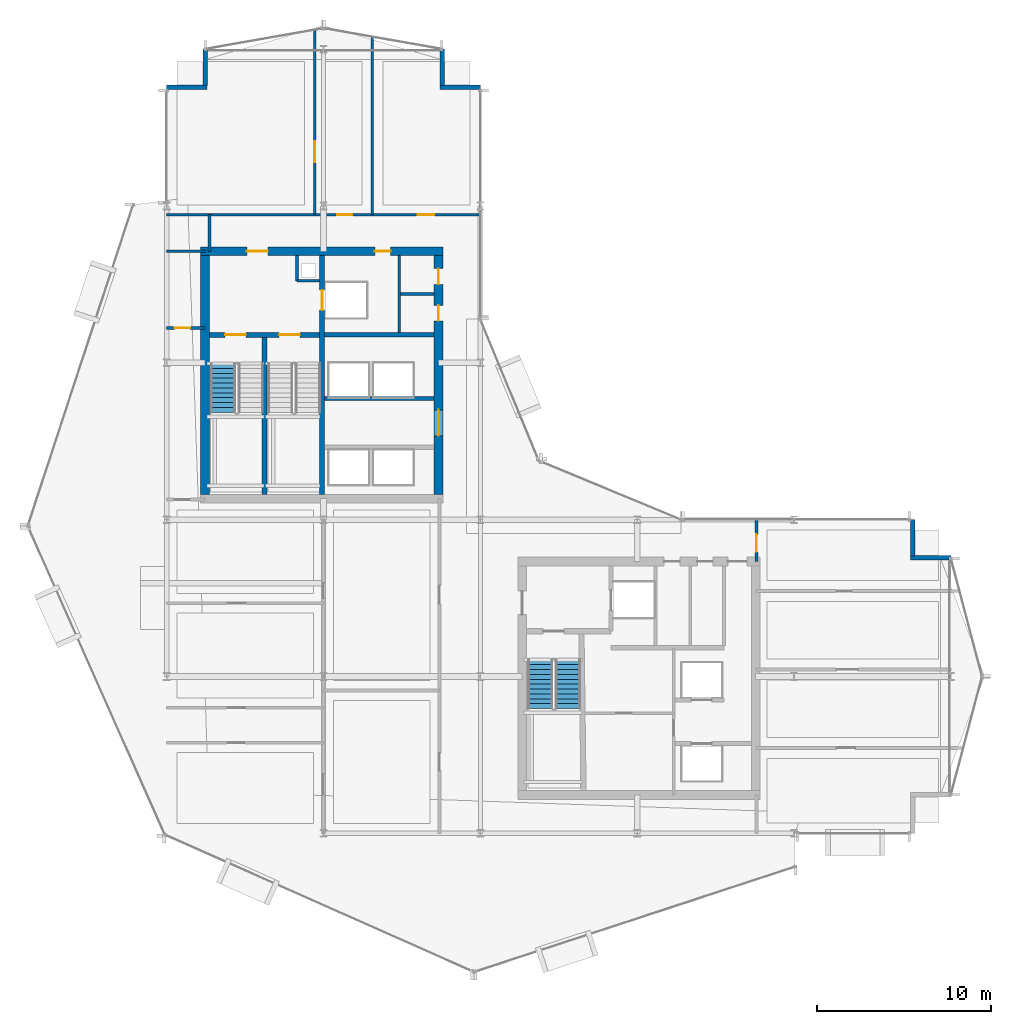
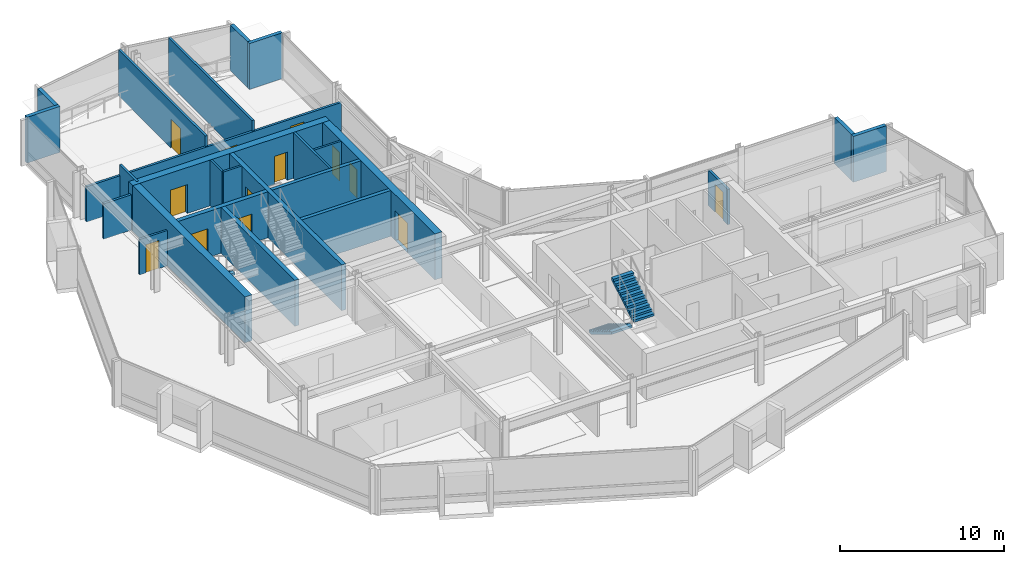
# One storey, part 23 of 29: 25 walls, 13 doors, 3 stair flights, 13 openings, 2 elements without a shape of their own.
"""IFC4 building model written with IfcOpenShell, lengths in metres."""

from ifc_helpers import new_model, si_unit, direction, frame, frame_2d, origin, place, context, subcontext, project, spatial, polyline, rectangle, outline, extrude, material, layer, layer_set, type_object, element, fill, aggregate, save


model = new_model("IFC4")

# Units and contexts
model_context = context("Model", 3, precision=1e-05, world=origin(), true_north=direction((0.0, 1.0)))
body_context = subcontext(model_context, "Body", "Model", "MODEL_VIEW")
ifc_project = project(units=[si_unit("LENGTHUNIT", "METRE"), si_unit("AREAUNIT", "SQUARE_METRE"), si_unit("VOLUMEUNIT", "CUBIC_METRE"), si_unit("PLANEANGLEUNIT", "RADIAN"), si_unit("MASSUNIT", "GRAM", prefix="KILO")], contexts=[model_context])

# Site, building, storey
site_placement = place(None, origin())
site = spatial("IfcSite", under=ifc_project, at=site_placement, CompositionType="ELEMENT")
building_placement = place(site_placement, origin())
building = spatial("IfcBuilding", under=site, at=building_placement, Name="Solvaryn Broadcast Tower", CompositionType="ELEMENT")
storey_placement = place(building_placement, frame((0.0, 0.0, 143.300048828125)))
storey = spatial("IfcBuildingStorey", under=building, at=storey_placement, Name="L35", CompositionType="ELEMENT", Elevation=143.300048828125)

# Wall, openings, doors
ifc_material_1 = material(Name="Concrete f'c 70 MPa", Category="concrete")
ifc_layer_1 = layer(ifc_material_1, 0.5)
ifc_layer_set_1 = layer_set([ifc_layer_1], Name="CW-SHEAR-500")
wall_type_1 = type_object("IfcWallType", Name="CW-SHEAR-500", PredefinedType="SHEAR", material=ifc_layer_set_1)
wall_1_placement = place(storey_placement, frame((24.85009765625, 42.39990234375, 0.0), z_axis=(0.0, 0.0, 1.0), x_axis=(-1.0, 0.0, 0.0)))
wall_1 = element("IfcWall", 1, at=wall_1_placement, inside=storey, type_object=wall_type_1, Name="L35 West Core North Shear Wall", PredefinedType="SHEAR", context=body_context, shape_type="SweptSolid", body=[
    extrude(rectangle(XDim=13.900146484375, YDim=0.5, at=frame_2d((6.9501953125, 0.0))), origin(), (0.0, 0.0, 1.0), 3.419921875),
])
opening_1_placement = place(wall_1_placement, frame((10.050048828125, 0.0, 0.0)))
opening_1 = element("IfcOpeningElement", 2, at=opening_1_placement, cuts=wall_1, Name="Opening FD90A", PredefinedType="OPENING", context=body_context, shape_type="SweptSolid", body=[
    extrude(rectangle(XDim=1.199951171875, YDim=2.14990234375, at=frame_2d((0.60009765625, 1.074951171875))), frame((0.0, 0.260009765625, 0.0), z_axis=(0.0, -1.0, 0.0), x_axis=(1.0, 0.0, 0.0)), (0.0, 0.0, 1.0), 0.52001953125),
])
opening_2_placement = place(wall_1_placement, frame((3.0, 0.0, 0.0)))
opening_2 = element("IfcOpeningElement", 3, at=opening_2_placement, cuts=wall_1, Name="Opening FD60C", PredefinedType="OPENING", context=body_context, shape_type="SweptSolid", body=[
    extrude(rectangle(XDim=0.89990234375, YDim=2.10009765625, at=frame_2d((0.449951171875, 1.050048828125))), frame((0.0, 0.260009765625, 0.0), z_axis=(0.0, -1.0, 0.0), x_axis=(1.0, 0.0, 0.0)), (0.0, 0.0, 1.0), 0.52001953125),
])
ifc_material_2 = material(Name="Flush Acoustic Steel and Timber Door Assembly", Category="steel")
door_type_1 = type_object("IfcDoorType", Name="FD60-SERV-900X2100", OperationType="NOTDEFINED", PredefinedType="DOOR", material=ifc_material_2)
door_1_placement = place(opening_2_placement, origin())
door_1 = element("IfcDoor", 4, at=door_1_placement, inside=storey, type_object=door_type_1, Name="L35 West Core Fiber Riser Door", OperationType="SINGLE_SWING_RIGHT", OverallHeight=2.10009765625, OverallWidth=0.89990234375, PredefinedType="DOOR", context=body_context, shape_type="SweptSolid", body=[
    extrude(rectangle(XDim=0.89990234375, YDim=2.10009765625, at=frame_2d((0.449951171875, 1.050048828125))), frame((0.0, 0.02490234375, 0.0), z_axis=(0.0, -1.0, 0.0), x_axis=(1.0, 0.0, 0.0)), (0.0, 0.0, 1.0), 0.050048828125),
])
fill(opening_2, door_1)
ifc_material_3 = material(Name="Flush Acoustic Steel and Timber Door Assembly", Category="steel")
door_type_2 = type_object("IfcDoorType", Name="FD90-STAIR-1200X2150", OperationType="NOTDEFINED", PredefinedType="DOOR", material=ifc_material_3)
door_2_placement = place(opening_1_placement, origin())
door_2 = element("IfcDoor", 5, at=door_2_placement, inside=storey, type_object=door_type_2, Name="L35 West FSAE Lobby Corridor Door", OperationType="SINGLE_SWING_LEFT", OverallHeight=2.14990234375, OverallWidth=1.199951171875, PredefinedType="DOOR", context=body_context, shape_type="SweptSolid", body=[
    extrude(rectangle(XDim=1.199951171875, YDim=2.14990234375, at=frame_2d((0.60009765625, 1.074951171875))), frame((0.0, 0.02490234375, 0.0), z_axis=(0.0, -1.0, 0.0), x_axis=(1.0, 0.0, 0.0)), (0.0, 0.0, 1.0), 0.050048828125),
])
fill(opening_1, door_2)

# Wall
wall_2_placement = place(storey_placement, frame((11.199951171875, 42.14990234375, 0.0), z_axis=(0.0, 0.0, 1.0), x_axis=(0.0, -1.0, 0.0)))
element("IfcWall", 6, at=wall_2_placement, inside=storey, type_object=wall_type_1, Name="L35 West Core West Shear Wall", PredefinedType="SHEAR", context=body_context, shape_type="SweptSolid", body=[
    extrude(rectangle(XDim=13.699951171875, YDim=0.5, at=frame_2d((6.85009765625, 0.0))), origin(), (0.0, 0.0, 1.0), 3.419921875),
])

# Wall, openings, doors
wall_3_placement = place(storey_placement, frame((24.60009765625, 28.449951171875, 0.0), z_axis=(0.0, 0.0, 1.0), x_axis=(0.0, 1.0, 0.0)))
wall_3 = element("IfcWall", 7, at=wall_3_placement, inside=storey, type_object=wall_type_1, Name="L35 West Core East Shear Wall", PredefinedType="SHEAR", context=body_context, shape_type="SweptSolid", body=[
    extrude(rectangle(XDim=13.699951171875, YDim=0.5, at=frame_2d((6.85009765625, 0.0))), origin(), (0.0, 0.0, 1.0), 3.419921875),
])
opening_3_placement = place(wall_3_placement, frame((3.35009765625, 0.0, 0.0)))
opening_3 = element("IfcOpeningElement", 8, at=opening_3_placement, cuts=wall_3, Name="Opening FD60A", PredefinedType="OPENING", context=body_context, shape_type="SweptSolid", body=[
    extrude(rectangle(XDim=1.5, YDim=2.199951171875, at=frame_2d((0.75, 1.10009765625))), frame((0.0, 0.260009765625, 0.0), z_axis=(0.0, -1.0, 0.0), x_axis=(1.0, 0.0, 0.0)), (0.0, 0.0, 1.0), 0.52001953125),
])
opening_4_placement = place(wall_3_placement, frame((9.949951171875, 0.0, 0.0)))
opening_4 = element("IfcOpeningElement", 9, at=opening_4_placement, cuts=wall_3, Name="Opening FD60C", PredefinedType="OPENING", context=body_context, shape_type="SweptSolid", body=[
    extrude(rectangle(XDim=0.89990234375, YDim=2.10009765625, at=frame_2d((0.449951171875, 1.050048828125))), frame((0.0, 0.260009765625, 0.0), z_axis=(0.0, -1.0, 0.0), x_axis=(1.0, 0.0, 0.0)), (0.0, 0.0, 1.0), 0.52001953125),
])
opening_5_placement = place(wall_3_placement, frame((12.050048828125, 0.0, 0.0)))
opening_5 = element("IfcOpeningElement", 10, at=opening_5_placement, cuts=wall_3, Name="Opening FD60C", PredefinedType="OPENING", context=body_context, shape_type="SweptSolid", body=[
    extrude(rectangle(XDim=0.89990234375, YDim=2.10009765625, at=frame_2d((0.449951171875, 1.050048828125))), frame((0.0, 0.260009765625, 0.0), z_axis=(0.0, -1.0, 0.0), x_axis=(1.0, 0.0, 0.0)), (0.0, 0.0, 1.0), 0.52001953125),
])
ifc_material_4 = material(Name="Flush Acoustic Steel and Timber Door Assembly", Category="steel")
door_type_3 = type_object("IfcDoorType", Name="FD60-CORR-1500X2200", OperationType="NOTDEFINED", PredefinedType="DOOR", material=ifc_material_4)
door_3_placement = place(opening_3_placement, origin())
door_3 = element("IfcDoor", 11, at=door_3_placement, inside=storey, type_object=door_type_3, Name="L35 West Elevator Lobby Corridor Door", OperationType="DOUBLE_DOOR_SINGLE_SWING", OverallHeight=2.199951171875, OverallWidth=1.5, PredefinedType="DOOR", context=body_context, shape_type="SweptSolid", body=[
    extrude(rectangle(XDim=1.5, YDim=2.199951171875, at=frame_2d((0.75, 1.10009765625))), frame((0.0, 0.02490234375, 0.0), z_axis=(0.0, -1.0, 0.0), x_axis=(1.0, 0.0, 0.0)), (0.0, 0.0, 1.0), 0.050048828125),
])
fill(opening_3, door_3)
door_4_placement = place(opening_4_placement, origin())
door_4 = element("IfcDoor", 12, at=door_4_placement, inside=storey, type_object=door_type_1, Name="L35 West Core Service Door 1", OperationType="SINGLE_SWING_LEFT", OverallHeight=2.10009765625, OverallWidth=0.89990234375, PredefinedType="DOOR", context=body_context, shape_type="SweptSolid", body=[
    extrude(rectangle(XDim=0.89990234375, YDim=2.10009765625, at=frame_2d((0.449951171875, 1.050048828125))), frame((0.0, 0.02490234375, 0.0), z_axis=(0.0, -1.0, 0.0), x_axis=(1.0, 0.0, 0.0)), (0.0, 0.0, 1.0), 0.050048828125),
])
fill(opening_4, door_4)
door_5_placement = place(opening_5_placement, origin())
door_5 = element("IfcDoor", 13, at=door_5_placement, inside=storey, type_object=door_type_1, Name="L35 West Core Janitor Door", OperationType="SINGLE_SWING_RIGHT", OverallHeight=2.10009765625, OverallWidth=0.89990234375, PredefinedType="DOOR", context=body_context, shape_type="SweptSolid", body=[
    extrude(rectangle(XDim=0.89990234375, YDim=2.10009765625, at=frame_2d((0.449951171875, 1.050048828125))), frame((0.0, 0.02490234375, 0.0), z_axis=(0.0, -1.0, 0.0), x_axis=(1.0, 0.0, 0.0)), (0.0, 0.0, 1.0), 0.050048828125),
])
fill(opening_5, door_5)

# Walls
ifc_material_5 = material(Name="Concrete f'c 50 MPa", Category="concrete")
ifc_layer_2 = layer(ifc_material_5, 0.260009765625)
ifc_layer_set_2 = layer_set([ifc_layer_2], Name="EW-PIER-260")
wall_type_2 = type_object("IfcWallType", Name="EW-PIER-260", PredefinedType="SOLIDWALL", material=ifc_layer_set_2)
wall_4_placement = place(storey_placement, frame((9.0, 51.800048828125, 0.0), z_axis=(0.0, 0.0, 1.0), x_axis=(1.0, 0.0, 0.0)))
element("IfcWall", 14, at=wall_4_placement, inside=storey, type_object=wall_type_2, Name="L35 Notched Corner Pier Wall NNW1", PredefinedType="SOLIDWALL", context=body_context, shape_type="SweptSolid", body=[
    extrude(rectangle(XDim=2.320068359375, YDim=0.260009765625, at=frame_2d((1.16015625, 0.0))), origin(), (0.0, 0.0, 1.0), 3.419921875),
])
for number, where, z_axis, x_axis, name in (
    (15, (11.199951171875, 51.919921875, 0.0), (0.0, 0.0, 1.0), (0.0, 1.0, 0.0), "L35 Notched Corner Pier Wall NNW2"),
    (16, (24.800048828125, 54.0, 0.0), (0.0, 0.0, 1.0), (0.0, -1.0, 0.0), "L35 Notched Corner Pier Wall NNE1"),
):
    element("IfcWall", number, at=place(storey_placement, frame(where, z_axis=z_axis, x_axis=x_axis)), inside=storey, type_object=wall_type_2, Name=name, PredefinedType="SOLIDWALL", context=body_context, shape_type="SweptSolid", body=[
        extrude(rectangle(XDim=2.080078125, YDim=0.260009765625, at=frame_2d((1.0400390625, 0.0))), origin(), (0.0, 0.0, 1.0), 3.419921875),
    ])
for number, where, z_axis, x_axis, name in (
    (17, (24.679931640625, 51.800048828125, 0.0), (0.0, 0.0, 1.0), (1.0, 0.0, 0.0), "L35 Notched Corner Pier Wall NNE2"),
    (18, (54.0, 24.800048828125, 0.0), (0.0, 0.0, 1.0), (-1.0, 0.0, 0.0), "L35 Notched Corner Pier Wall NEE1"),
):
    element("IfcWall", number, at=place(storey_placement, frame(where, z_axis=z_axis, x_axis=x_axis)), inside=storey, type_object=wall_type_2, Name=name, PredefinedType="SOLIDWALL", context=body_context, shape_type="SweptSolid", body=[
        extrude(rectangle(XDim=2.320068359375, YDim=0.260009765625, at=frame_2d((1.16015625, 0.0))), origin(), (0.0, 0.0, 1.0), 3.419921875),
    ])
wall_5_placement = place(storey_placement, frame((51.800048828125, 24.919921875, 0.0), z_axis=(0.0, 0.0, 1.0), x_axis=(0.0, 1.0, 0.0)))
element("IfcWall", 19, at=wall_5_placement, inside=storey, type_object=wall_type_2, Name="L35 Notched Corner Pier Wall NEE2", PredefinedType="SOLIDWALL", context=body_context, shape_type="SweptSolid", body=[
    extrude(rectangle(XDim=2.080078125, YDim=0.260009765625, at=frame_2d((1.0400390625, 0.0))), origin(), (0.0, 0.0, 1.0), 3.419921875),
])
ifc_material_6 = material(Name="Metal-Stud Service Core Partition")
ifc_layer_3 = layer(ifc_material_6, 0.14990234375)
ifc_layer_set_3 = layer_set([ifc_layer_3], Name="IW-PART-150")
wall_type_3 = type_object("IfcWallType", Name="IW-PART-150", PredefinedType="PARTITIONING", material=ifc_layer_set_3)
wall_6_placement = place(storey_placement, frame((16.47998046875, 40.699951171875, 0.0), z_axis=(0.0, 0.0, 1.0), x_axis=(1.0, 0.0, 0.0)))
element("IfcWall", 20, at=wall_6_placement, inside=storey, type_object=wall_type_3, Name="L35 West Core Riser Shaft South Wall", PredefinedType="PARTITIONING", context=body_context, shape_type="SweptSolid", body=[
    extrude(rectangle(XDim=1.2900390625, YDim=0.14990234375, at=frame_2d((0.64501953125, 0.0))), origin(), (0.0, 0.0, 1.0), 3.419921875),
])
wall_7_placement = place(storey_placement, frame((16.47998046875, 40.699951171875, 0.0), z_axis=(0.0, 0.0, 1.0), x_axis=(0.0, 1.0, 0.0)))
element("IfcWall", 21, at=wall_7_placement, inside=storey, type_object=wall_type_3, Name="L35 West Core Riser Shaft West Wall", PredefinedType="PARTITIONING", context=body_context, shape_type="SweptSolid", body=[
    extrude(rectangle(XDim=1.449951171875, YDim=0.14990234375, at=frame_2d((0.72509765625, 0.0))), origin(), (0.0, 0.0, 1.0), 3.419921875),
])
wall_8_placement = place(storey_placement, frame((22.35009765625, 37.72998046875, 0.0), z_axis=(0.0, 0.0, 1.0), x_axis=(0.0, 1.0, 0.0)))
element("IfcWall", 22, at=wall_8_placement, inside=storey, type_object=wall_type_3, Name="L35 Interior Partition IW-L35-CWS-V", PredefinedType="PARTITIONING", context=body_context, shape_type="SweptSolid", body=[
    extrude(rectangle(XDim=4.419921875, YDim=0.14990234375, at=frame_2d((2.2099609375, 0.0))), origin(), (0.0, 0.0, 1.0), 3.419921875),
])
wall_9_placement = place(storey_placement, frame((22.429931640625, 39.949951171875, 0.0), z_axis=(0.0, 0.0, 1.0), x_axis=(1.0, 0.0, 0.0)))
element("IfcWall", 23, at=wall_9_placement, inside=storey, type_object=wall_type_3, Name="L35 Interior Partition IW-L35-CWS-H", PredefinedType="PARTITIONING", context=body_context, shape_type="SweptSolid", body=[
    extrude(rectangle(XDim=1.920166015625, YDim=0.14990234375, at=frame_2d((0.9599609375, 0.0))), origin(), (0.0, 0.0, 1.0), 3.419921875),
])

# Wall, opening, door
wall_10_placement = place(storey_placement, frame((9.0, 38.0, 0.0), z_axis=(0.0, 0.0, 1.0), x_axis=(1.0, 0.0, 0.0)))
wall_10 = element("IfcWall", 24, at=wall_10_placement, inside=storey, type_object=wall_type_3, Name="L35 Interior Partition IW-L35-WM-M", PredefinedType="PARTITIONING", context=body_context, shape_type="SweptSolid", body=[
    extrude(rectangle(XDim=2.199951171875, YDim=0.14990234375, at=frame_2d((1.10009765625, 0.0))), origin(), (0.0, 0.0, 1.0), 2.634033203125),
])
opening_6_placement = place(wall_10_placement, frame((0.449951171875, 0.0, 0.0)))
opening_6 = element("IfcOpeningElement", 25, at=opening_6_placement, cuts=wall_10, Name="Opening FD60C", PredefinedType="OPENING", context=body_context, shape_type="SweptSolid", body=[
    extrude(rectangle(XDim=0.89990234375, YDim=2.10009765625, at=frame_2d((0.449951171875, 1.050048828125))), frame((0.0, 0.0849609375, 0.0), z_axis=(0.0, -1.0, 0.0), x_axis=(1.0, 0.0, 0.0)), (0.0, 0.0, 1.0), 0.169921875),
])
door_6_placement = place(opening_6_placement, origin())
door_6 = element("IfcDoor", 26, at=door_6_placement, inside=storey, type_object=door_type_1, Name="L35 Door DR-L35-WM1", OperationType="SINGLE_SWING_LEFT", OverallHeight=2.10009765625, OverallWidth=0.89990234375, PredefinedType="DOOR", context=body_context, shape_type="SweptSolid", body=[
    extrude(rectangle(XDim=0.89990234375, YDim=2.10009765625, at=frame_2d((0.449951171875, 1.050048828125))), frame((0.0, 0.02490234375, 0.0), z_axis=(0.0, -1.0, 0.0), x_axis=(1.0, 0.0, 0.0)), (0.0, 0.0, 1.0), 0.050048828125),
])
fill(opening_6, door_6)

# Walls
ifc_material_7 = material(Name="Metal-Stud Gypsum Office Partition")
ifc_layer_4 = layer(ifc_material_7, 0.159912109375)
ifc_layer_set_4 = layer_set([ifc_layer_4], Name="IW-PART-160")
wall_type_4 = type_object("IfcWallType", Name="IW-PART-160", PredefinedType="PARTITIONING", material=ifc_layer_set_4)
wall_11_placement = place(storey_placement, frame((9.0, 42.39990234375, 0.0), z_axis=(0.0, 0.0, 1.0), x_axis=(1.0, 0.0, 0.0)))
element("IfcWall", 27, at=wall_11_placement, inside=storey, type_object=wall_type_4, Name="L35 Interior Partition IW-L35-WM-N", PredefinedType="PARTITIONING", context=body_context, shape_type="SweptSolid", body=[
    extrude(rectangle(XDim=2.199951171875, YDim=0.159912109375, at=frame_2d((1.10009765625, 0.0))), origin(), (0.0, 0.0, 1.0), 2.634033203125),
])
wall_12_placement = place(storey_placement, frame((11.449951171875, 42.39990234375, 0.0), z_axis=(0.0, 0.0, 1.0), x_axis=(0.0, 1.0, 0.0)))
element("IfcWall", 28, at=wall_12_placement, inside=storey, type_object=wall_type_4, Name="L35 Interior Partition IW-L35-WM-E", PredefinedType="PARTITIONING", context=body_context, shape_type="SweptSolid", body=[
    extrude(rectangle(XDim=2.10009765625, YDim=0.159912109375, at=frame_2d((1.050048828125, 0.0))), origin(), (0.0, 0.0, 1.0), 3.419921875),
])

# Wall, openings, doors
wall_13_placement = place(storey_placement, frame((9.0, 44.5, 0.0), z_axis=(0.0, 0.0, 1.0), x_axis=(1.0, 0.0, 0.0)))
wall_13 = element("IfcWall", 29, at=wall_13_placement, inside=storey, type_object=wall_type_4, Name="L35 Interior Partition IW-L35-NW-SB", PredefinedType="PARTITIONING", context=body_context, shape_type="SweptSolid", body=[
    extrude(rectangle(XDim=18.0, YDim=0.159912109375, at=frame_2d((9.0, 0.0))), origin(), (0.0, 0.0, 1.0), 2.634033203125),
])
opening_7_placement = place(wall_13_placement, frame((9.800048828125, 0.0, 0.0)))
opening_7 = element("IfcOpeningElement", 30, at=opening_7_placement, cuts=wall_13, Name="Opening ID07", PredefinedType="OPENING", context=body_context, shape_type="SweptSolid", body=[
    extrude(rectangle(XDim=0.860107421875, YDim=2.050048828125, at=frame_2d((0.43017578125, 1.02490234375))), frame((0.0, 0.090087890625, 0.0), z_axis=(0.0, -1.0, 0.0), x_axis=(1.0, 0.0, 0.0)), (0.0, 0.0, 1.0), 0.179931640625),
])
opening_8_placement = place(wall_13_placement, frame((14.39990234375, 0.0, 0.0)))
opening_8 = element("IfcOpeningElement", 31, at=opening_8_placement, cuts=wall_13, Name="Opening ID01", PredefinedType="OPENING", context=body_context, shape_type="SweptSolid", body=[
    extrude(rectangle(XDim=0.949951171875, YDim=2.10009765625, at=frame_2d((0.47509765625, 1.050048828125))), frame((0.0, 0.090087890625, 0.0), z_axis=(0.0, -1.0, 0.0), x_axis=(1.0, 0.0, 0.0)), (0.0, 0.0, 1.0), 0.179931640625),
])
ifc_material_8 = material(Name="Flush Acoustic Steel and Timber Door Assembly", Category="steel")
door_type_4 = type_object("IfcDoorType", Name="ID-01-950X2100", OperationType="NOTDEFINED", PredefinedType="DOOR", material=ifc_material_8)
door_7_placement = place(opening_8_placement, origin())
door_7 = element("IfcDoor", 32, at=door_7_placement, inside=storey, type_object=door_type_4, Name="L35 Door DR-L35-NW-3", OperationType="SINGLE_SWING_LEFT", OverallHeight=2.10009765625, OverallWidth=0.949951171875, PredefinedType="DOOR", context=body_context, shape_type="SweptSolid", body=[
    extrude(rectangle(XDim=0.949951171875, YDim=2.10009765625, at=frame_2d((0.47509765625, 1.050048828125))), frame((0.0, 0.02490234375, 0.0), z_axis=(0.0, -1.0, 0.0), x_axis=(1.0, 0.0, 0.0)), (0.0, 0.0, 1.0), 0.050048828125),
])
fill(opening_8, door_7)
ifc_material_9 = material(Name="Flush Acoustic Steel and Timber Door Assembly", Category="steel")
door_type_5 = type_object("IfcDoorType", Name="ID-07-860X2050", OperationType="NOTDEFINED", PredefinedType="DOOR", material=ifc_material_9)
door_8_placement = place(opening_7_placement, origin())
door_8 = element("IfcDoor", 33, at=door_8_placement, inside=storey, type_object=door_type_5, Name="L35 Door DR-L35-NW-2", OperationType="SINGLE_SWING_RIGHT", OverallHeight=2.050048828125, OverallWidth=0.860107421875, PredefinedType="DOOR", context=body_context, shape_type="SweptSolid", body=[
    extrude(rectangle(XDim=0.860107421875, YDim=2.050048828125, at=frame_2d((0.43017578125, 1.02490234375))), frame((0.0, 0.02490234375, 0.0), z_axis=(0.0, -1.0, 0.0), x_axis=(1.0, 0.0, 0.0)), (0.0, 0.0, 1.0), 0.050048828125),
])
fill(opening_7, door_8)

# Wall, opening, door
wall_14_placement = place(storey_placement, frame((17.5, 44.5, 0.0), z_axis=(0.0, 0.0, 1.0), x_axis=(0.0, 1.0, 0.0)))
wall_14 = element("IfcWall", 34, at=wall_14_placement, inside=storey, type_object=wall_type_4, Name="L35 Interior Partition IW-L35-NW-V1", PredefinedType="PARTITIONING", context=body_context, shape_type="SweptSolid", body=[
    extrude(rectangle(XDim=10.612060546875, YDim=0.159912109375, at=frame_2d((5.30615234375, 0.0))), origin(), (0.0, 0.0, 1.0), 3.419921875),
])
opening_9_placement = place(wall_14_placement, frame((3.0, 0.0, 0.0)))
opening_9 = element("IfcOpeningElement", 35, at=opening_9_placement, cuts=wall_14, Name="Opening ID04", PredefinedType="OPENING", context=body_context, shape_type="SweptSolid", body=[
    extrude(rectangle(XDim=1.199951171875, YDim=2.14990234375, at=frame_2d((0.60009765625, 1.074951171875))), frame((0.0, 0.090087890625, 0.0), z_axis=(0.0, -1.0, 0.0), x_axis=(1.0, 0.0, 0.0)), (0.0, 0.0, 1.0), 0.179931640625),
])
ifc_material_10 = material(Name="Flush Acoustic Steel and Timber Door Assembly", Category="steel")
door_type_6 = type_object("IfcDoorType", Name="ID-04-1200X2150", OperationType="NOTDEFINED", PredefinedType="DOOR", material=ifc_material_10)
door_9_placement = place(opening_9_placement, origin())
door_9 = element("IfcDoor", 36, at=door_9_placement, inside=storey, type_object=door_type_6, Name="L35 Door DR-L35-NW-C1", OperationType="SINGLE_SWING_LEFT", OverallHeight=2.14990234375, OverallWidth=1.199951171875, PredefinedType="DOOR", context=body_context, shape_type="SweptSolid", body=[
    extrude(rectangle(XDim=1.199951171875, YDim=2.14990234375, at=frame_2d((0.60009765625, 1.074951171875))), frame((0.0, 0.02490234375, 0.0), z_axis=(0.0, -1.0, 0.0), x_axis=(1.0, 0.0, 0.0)), (0.0, 0.0, 1.0), 0.050048828125),
])
fill(opening_9, door_9)

# Wall
wall_15_placement = place(storey_placement, frame((20.800048828125, 44.5, 0.0), z_axis=(0.0, 0.0, 1.0), x_axis=(0.0, 1.0, 0.0)))
element("IfcWall", 37, at=wall_15_placement, inside=storey, type_object=wall_type_4, Name="L35 Interior Partition IW-L35-NW-V2", PredefinedType="PARTITIONING", context=body_context, shape_type="SweptSolid", body=[
    extrude(rectangle(XDim=10.2060546875, YDim=0.159912109375, at=frame_2d((5.10302734375, 0.0))), origin(), (0.0, 0.0, 1.0), 3.419921875),
])

# Wall, opening, door
wall_16_placement = place(storey_placement, frame((42.85009765625, 24.60009765625, 0.0), z_axis=(0.0, 0.0, 1.0), x_axis=(0.0, 1.0, 0.0)))
wall_16 = element("IfcWall", 38, at=wall_16_placement, inside=storey, type_object=wall_type_4, Name="L35 Interior Partition IW-L35-EW-BN", PredefinedType="PARTITIONING", context=body_context, shape_type="SweptSolid", body=[
    extrude(rectangle(XDim=2.39990234375, YDim=0.159912109375, at=frame_2d((1.199951171875, 0.0))), origin(), (0.0, 0.0, 1.0), 2.634033203125),
])
opening_10_placement = place(wall_16_placement, frame((0.550048828125, 0.0, 0.0)))
opening_10 = element("IfcOpeningElement", 39, at=opening_10_placement, cuts=wall_16, Name="Opening ID02", PredefinedType="OPENING", context=body_context, shape_type="SweptSolid", body=[
    extrude(rectangle(XDim=1.0, YDim=2.10009765625, at=frame_2d((0.5, 1.050048828125))), frame((0.0, 0.090087890625, 0.0), z_axis=(0.0, -1.0, 0.0), x_axis=(1.0, 0.0, 0.0)), (0.0, 0.0, 1.0), 0.179931640625),
])
ifc_material_11 = material(Name="Flush Acoustic Steel and Timber Door Assembly", Category="steel")
door_type_7 = type_object("IfcDoorType", Name="ID-02-1000X2100", OperationType="NOTDEFINED", PredefinedType="DOOR", material=ifc_material_11)
door_10_placement = place(opening_10_placement, origin())
door_10 = element("IfcDoor", 40, at=door_10_placement, inside=storey, type_object=door_type_7, Name="L35 Door DR-L35-EW0", OperationType="SINGLE_SWING_RIGHT", OverallHeight=2.10009765625, OverallWidth=1.0, PredefinedType="DOOR", context=body_context, shape_type="SweptSolid", body=[
    extrude(rectangle(XDim=1.0, YDim=2.10009765625, at=frame_2d((0.5, 1.050048828125))), frame((0.0, 0.02490234375, 0.0), z_axis=(0.0, -1.0, 0.0), x_axis=(1.0, 0.0, 0.0)), (0.0, 0.0, 1.0), 0.050048828125),
])
fill(opening_10, door_10)

# Walls
ifc_material_12 = material(Name="Concrete f'c 60 MPa", Category="concrete")
ifc_layer_5 = layer(ifc_material_12, 0.25)
ifc_layer_set_5 = layer_set([ifc_layer_5], Name="SW-SHAFT-250")
wall_type_5 = type_object("IfcWallType", Name="SW-SHAFT-250", PredefinedType="PARTITIONING", material=ifc_layer_set_5)
for number, where, z_axis, x_axis, name in (
    (41, (18.070068359375, 37.60009765625, 0.0), (0.0, 0.0, 1.0), (1.0, 0.0, 0.0), "L35 West Core FSAE Hoistway Front Wall"),
    (42, (24.35009765625, 33.949951171875, 0.0), (0.0, 0.0, 1.0), (-1.0, 0.0, 0.0), "L35 High-Rise Lift Bank North Wall"),
):
    element("IfcWall", number, at=place(storey_placement, frame(where, z_axis=z_axis, x_axis=x_axis)), inside=storey, type_object=wall_type_5, Name=name, PredefinedType="PARTITIONING", context=body_context, shape_type="SweptSolid", body=[
        extrude(rectangle(XDim=6.280029296875, YDim=0.25, at=frame_2d((3.14013671875, 0.0))), origin(), (0.0, 0.0, 1.0), 3.419921875),
    ])
ifc_material_13 = material(Name="Concrete f'c 70 MPa", Category="concrete")
ifc_layer_6 = layer(ifc_material_13, 0.300048828125)
ifc_layer_set_6 = layer_set([ifc_layer_6], Name="SW-SHAFT-300")
wall_type_6 = type_object("IfcWallType", Name="SW-SHAFT-300", PredefinedType="SHEAR", material=ifc_layer_set_6)
wall_17_placement = place(storey_placement, frame((14.6201171875, 28.449951171875, 0.0), z_axis=(0.0, 0.0, 1.0), x_axis=(0.0, 1.0, 0.0)))
element("IfcWall", 43, at=wall_17_placement, inside=storey, type_object=wall_type_6, Name="L35 Stair 1-2 Dividing Wall", PredefinedType="SHEAR", context=body_context, shape_type="SweptSolid", body=[
    extrude(rectangle(XDim=9.0, YDim=0.300048828125, at=frame_2d((4.5, 0.0))), origin(), (0.0, 0.0, 1.0), 3.419921875),
])

# Wall, opening, door
wall_18_placement = place(storey_placement, frame((17.919921875, 42.14990234375, 0.0), z_axis=(0.0, 0.0, 1.0), x_axis=(0.0, -1.0, 0.0)))
wall_18 = element("IfcWall", 44, at=wall_18_placement, inside=storey, type_object=wall_type_6, Name="L35 West Core Stair-Lobby Shear Wall", PredefinedType="SHEAR", context=body_context, shape_type="SweptSolid", body=[
    extrude(rectangle(XDim=13.699951171875, YDim=0.300048828125, at=frame_2d((6.85009765625, 0.0))), origin(), (0.0, 0.0, 1.0), 3.419921875),
])
opening_11_placement = place(wall_18_placement, frame((1.97509765625, 0.0, 0.0)))
opening_11 = element("IfcOpeningElement", 45, at=opening_11_placement, cuts=wall_18, Name="Opening LD01", PredefinedType="OPENING", context=body_context, shape_type="SweptSolid", body=[
    extrude(rectangle(XDim=1.14990234375, YDim=2.14990234375, at=frame_2d((0.574951171875, 1.074951171875))), frame((0.0, 0.159912109375, 0.0), z_axis=(0.0, -1.0, 0.0), x_axis=(1.0, 0.0, 0.0)), (0.0, 0.0, 1.0), 0.320068359375),
])
ifc_material_14 = material(Name="Flush Acoustic Steel and Timber Door Assembly", Category="steel")
door_type_8 = type_object("IfcDoorType", Name="LD-LIFT-1150X2150", OperationType="NOTDEFINED", PredefinedType="DOOR", material=ifc_material_14)
door_11_placement = place(opening_11_placement, origin())
door_11 = element("IfcDoor", 46, at=door_11_placement, inside=storey, type_object=door_type_8, Name="L35 FL1 Lift Landing Door", OperationType="DOUBLE_DOOR_SLIDING", OverallHeight=2.14990234375, OverallWidth=1.14990234375, PredefinedType="DOOR", context=body_context, shape_type="SweptSolid", body=[
    extrude(rectangle(XDim=1.14990234375, YDim=2.14990234375, at=frame_2d((0.574951171875, 1.074951171875))), frame((0.0, 0.02490234375, 0.0), z_axis=(0.0, -1.0, 0.0), x_axis=(1.0, 0.0, 0.0)), (0.0, 0.0, 1.0), 0.050048828125),
])
fill(opening_11, door_11)

# Wall, openings, doors
wall_19_placement = place(storey_placement, frame((17.77001953125, 37.60009765625, 0.0), z_axis=(0.0, 0.0, 1.0), x_axis=(-1.0, 0.0, 0.0)))
wall_19 = element("IfcWall", 47, at=wall_19_placement, inside=storey, type_object=wall_type_6, Name="L35 West Core FSAE Lobby South Wall", PredefinedType="SHEAR", context=body_context, shape_type="SweptSolid", body=[
    extrude(rectangle(XDim=6.320068359375, YDim=0.300048828125, at=frame_2d((3.16015625, 0.0))), origin(), (0.0, 0.0, 1.0), 3.419921875),
])
opening_12_placement = place(wall_19_placement, frame((4.219970703125, 0.0, 0.0)))
opening_12 = element("IfcOpeningElement", 48, at=opening_12_placement, cuts=wall_19, Name="Opening FD90A", PredefinedType="OPENING", context=body_context, shape_type="SweptSolid", body=[
    extrude(rectangle(XDim=1.199951171875, YDim=2.14990234375, at=frame_2d((0.60009765625, 1.074951171875))), frame((0.0, 0.159912109375, 0.0), z_axis=(0.0, -1.0, 0.0), x_axis=(1.0, 0.0, 0.0)), (0.0, 0.0, 1.0), 0.320068359375),
])
opening_13_placement = place(wall_19_placement, frame((1.1201171875, 0.0, 0.0)))
opening_13 = element("IfcOpeningElement", 49, at=opening_13_placement, cuts=wall_19, Name="Opening FD90A", PredefinedType="OPENING", context=body_context, shape_type="SweptSolid", body=[
    extrude(rectangle(XDim=1.199951171875, YDim=2.14990234375, at=frame_2d((0.60009765625, 1.074951171875))), frame((0.0, 0.159912109375, 0.0), z_axis=(0.0, -1.0, 0.0), x_axis=(1.0, 0.0, 0.0)), (0.0, 0.0, 1.0), 0.320068359375),
])
door_12_placement = place(opening_12_placement, origin())
door_12 = element("IfcDoor", 50, at=door_12_placement, inside=storey, type_object=door_type_2, Name="L35 Stair 1 Fire Door", OperationType="SINGLE_SWING_LEFT", OverallHeight=2.14990234375, OverallWidth=1.199951171875, PredefinedType="DOOR", context=body_context, shape_type="SweptSolid", body=[
    extrude(rectangle(XDim=1.199951171875, YDim=2.14990234375, at=frame_2d((0.60009765625, 1.074951171875))), frame((0.0, 0.02490234375, 0.0), z_axis=(0.0, -1.0, 0.0), x_axis=(1.0, 0.0, 0.0)), (0.0, 0.0, 1.0), 0.050048828125),
])
fill(opening_12, door_12)
door_13_placement = place(opening_13_placement, origin())
door_13 = element("IfcDoor", 51, at=door_13_placement, inside=storey, type_object=door_type_2, Name="L35 Stair 2 Fire Door", OperationType="SINGLE_SWING_RIGHT", OverallHeight=2.14990234375, OverallWidth=1.199951171875, PredefinedType="DOOR", context=body_context, shape_type="SweptSolid", body=[
    extrude(rectangle(XDim=1.199951171875, YDim=2.14990234375, at=frame_2d((0.60009765625, 1.074951171875))), frame((0.0, 0.02490234375, 0.0), z_axis=(0.0, -1.0, 0.0), x_axis=(1.0, 0.0, 0.0)), (0.0, 0.0, 1.0), 0.050048828125),
])
fill(opening_13, door_13)

# Stair, stair flight
ifc_material_15 = material(Name="Concrete f'c 60 MPa", Category="concrete")
stair_type = type_object("IfcStairType", Name="ST-CORE", PredefinedType="HALF_TURN_STAIR", material=ifc_material_15)
stair_1_placement = place(storey_placement, origin())
stair_1 = element("IfcStair", 52, at=stair_1_placement, inside=storey, type_object=stair_type, Name="L35 ST1", PredefinedType="HALF_TURN_STAIR")
ifc_material_16 = material(Name="Concrete f'c 60 MPa", Category="concrete")
ifc_layer_7 = layer(ifc_material_16, 0.159912109375)
ifc_layer_set_7 = layer_set([ifc_layer_7], Name="SF-CORE")
stair_flight_type = type_object("IfcStairFlightType", Name="SF-CORE", PredefinedType="STRAIGHT", material=ifc_layer_set_7)
stair_flight_1_placement = place(storey_placement, frame((12.239990234375, 35.9599609375, 0.0), z_axis=(0.0, 0.0, 1.0), x_axis=(0.0, -1.0, 0.0)))
stair_flight_1 = element("IfcStairFlight", 53, at=stair_flight_1_placement, type_object=stair_flight_type, Name="ST1 flight 1", NumberOfRisers=11, NumberOfTreads=10, PredefinedType="STRAIGHT", RiserHeight=0.168181818, TreadLength=0.28, context=body_context, shape_type="SweptSolid", body=[
    extrude(outline(polyline([(0.0, 0.0), (0.0, 0.168212890625), (0.280029296875, 0.168212890625), (0.280029296875, 0.33642578125), (0.56005859375, 0.33642578125), (0.56005859375, 0.504638671875), (0.840087890625, 0.504638671875), (0.840087890625, 0.672607421875), (1.1201171875, 0.672607421875), (1.1201171875, 0.8408203125), (1.39990234375, 0.8408203125), (1.39990234375, 1.009033203125), (1.679931640625, 1.009033203125), (1.679931640625, 1.17724609375), (1.9599609375, 1.17724609375), (1.9599609375, 1.345458984375), (2.239990234375, 1.345458984375), (2.239990234375, 1.513671875), (2.52001953125, 1.513671875), (2.52001953125, 1.681884765625), (2.800048828125, 1.681884765625), (2.800048828125, 1.85009765625), (2.800048828125, 1.5068359375), (0.291015625, 0.0), (0.0, 0.0)])), frame((0.0, 0.719970703125, 0.0), z_axis=(0.0, -1.0, 0.0), x_axis=(1.0, 0.0, 0.0)), (0.0, 0.0, 1.0), 1.43994140625),
])
aggregate(stair_1, [stair_flight_1])

# Stair, stair flights
stair_2_placement = place(storey_placement, origin())
stair_2 = element("IfcStair", 54, at=stair_2_placement, inside=storey, type_object=stair_type, Name="L35 ST3", PredefinedType="HALF_TURN_STAIR")
stair_flight_2_placement = place(storey_placement, frame((30.43994140625, 18.9599609375, 0.0), z_axis=(0.0, 0.0, 1.0), x_axis=(0.0, -1.0, 0.0)))
stair_flight_2 = element("IfcStairFlight", 55, at=stair_flight_2_placement, type_object=stair_flight_type, Name="ST3 flight 1", NumberOfRisers=11, NumberOfTreads=10, PredefinedType="STRAIGHT", RiserHeight=0.168181818, TreadLength=0.28, context=body_context, shape_type="SweptSolid", body=[
    extrude(outline(polyline([(0.0, 0.0), (0.0, 0.168212890625), (0.280029296875, 0.168212890625), (0.280029296875, 0.33642578125), (0.56005859375, 0.33642578125), (0.56005859375, 0.504638671875), (0.840087890625, 0.504638671875), (0.840087890625, 0.672607421875), (1.1201171875, 0.672607421875), (1.1201171875, 0.8408203125), (1.39990234375, 0.8408203125), (1.39990234375, 1.009033203125), (1.679931640625, 1.009033203125), (1.679931640625, 1.17724609375), (1.9599609375, 1.17724609375), (1.9599609375, 1.345458984375), (2.239990234375, 1.345458984375), (2.239990234375, 1.513671875), (2.52001953125, 1.513671875), (2.52001953125, 1.681884765625), (2.800048828125, 1.681884765625), (2.800048828125, 1.85009765625), (2.800048828125, 1.5068359375), (0.291015625, 0.0), (0.0, 0.0)])), frame((0.0, 0.719970703125, 0.0), z_axis=(0.0, -1.0, 0.0), x_axis=(1.0, 0.0, 0.0)), (0.0, 0.0, 1.0), 1.43994140625),
])
stair_flight_3_placement = place(storey_placement, frame((32.030029296875, 16.159912109375, 1.849853515625), z_axis=(0.0, 0.0, 1.0), x_axis=(0.0, 1.0, 0.0)))
stair_flight_3 = element("IfcStairFlight", 56, at=stair_flight_3_placement, type_object=stair_flight_type, Name="ST3 flight 2", NumberOfRisers=11, NumberOfTreads=10, PredefinedType="STRAIGHT", RiserHeight=0.168181818, TreadLength=0.28, context=body_context, shape_type="SweptSolid", body=[
    extrude(outline(polyline([(0.0, 0.0), (0.0, 0.168212890625), (0.280029296875, 0.168212890625), (0.280029296875, 0.33642578125), (0.56005859375, 0.33642578125), (0.56005859375, 0.504638671875), (0.840087890625, 0.504638671875), (0.840087890625, 0.672607421875), (1.1201171875, 0.672607421875), (1.1201171875, 0.8408203125), (1.39990234375, 0.8408203125), (1.39990234375, 1.009033203125), (1.679931640625, 1.009033203125), (1.679931640625, 1.17724609375), (1.9599609375, 1.17724609375), (1.9599609375, 1.345458984375), (2.239990234375, 1.345458984375), (2.239990234375, 1.513671875), (2.52001953125, 1.513671875), (2.52001953125, 1.681884765625), (2.800048828125, 1.681884765625), (2.800048828125, 1.85009765625), (2.800048828125, 1.5068359375), (0.291015625, 0.0), (0.0, 0.0)])), frame((0.0, 0.719970703125, 0.0), z_axis=(0.0, -1.0, 0.0), x_axis=(1.0, 0.0, 0.0)), (0.0, 0.0, 1.0), 1.43994140625),
])
aggregate(stair_2, [stair_flight_2, stair_flight_3])

save(model, "model.ifc")
